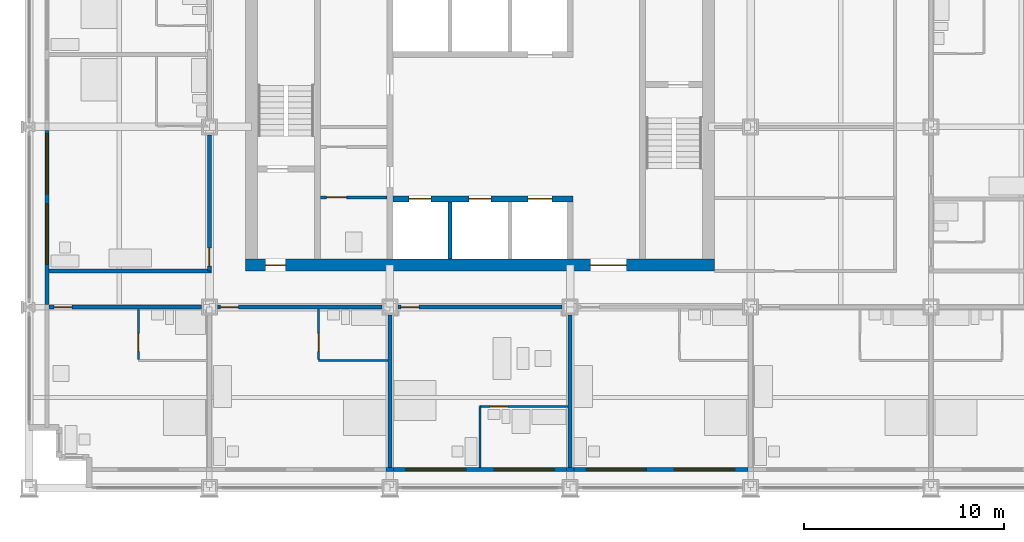
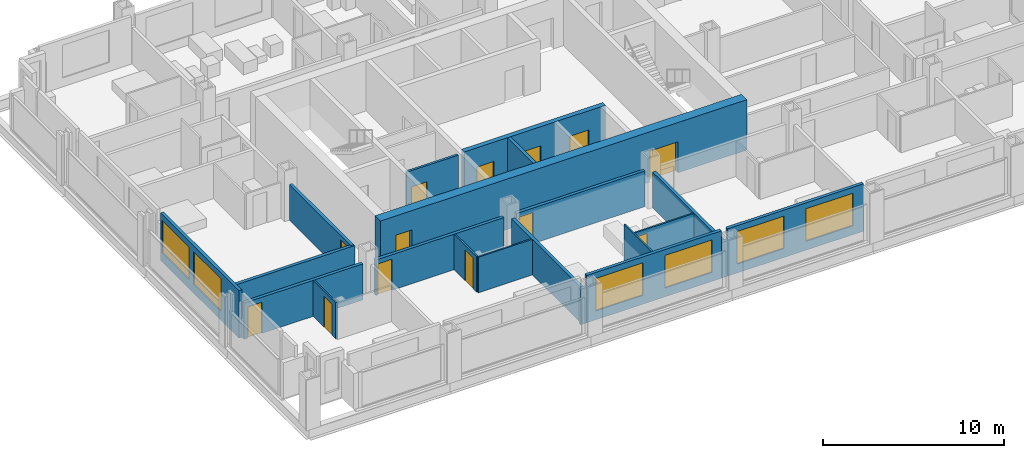
# One storey, part 10 of 18: 21 walls, 13 doors, 6 windows, 19 openings.
"""IFC4 building model written with IfcOpenShell, lengths in metres."""

from ifc_helpers import new_model, si_unit, direction, frame, frame_2d, origin, place, context, subcontext, project, spatial, rectangle, extrude, material, layer, layer_set, type_object, element, fill, save


model = new_model("IFC4")

# Units and contexts
model_context = context("Model", 3, precision=1e-05, world=origin(), true_north=direction((0.0, 1.0)))
body_context = subcontext(model_context, "Body", "Model", "MODEL_VIEW")
ifc_project = project(units=[si_unit("LENGTHUNIT", "METRE"), si_unit("AREAUNIT", "SQUARE_METRE"), si_unit("VOLUMEUNIT", "CUBIC_METRE"), si_unit("PLANEANGLEUNIT", "RADIAN"), si_unit("MASSUNIT", "GRAM", prefix="KILO")], contexts=[model_context])

# Site, building, storey
site_placement = place(None, origin())
site = spatial("IfcSite", under=ifc_project, at=site_placement, CompositionType="ELEMENT")
building_placement = place(site_placement, origin())
building = spatial("IfcBuilding", under=site, at=building_placement, Name="Loomwork Tower", CompositionType="ELEMENT")
storey_placement = place(building_placement, frame((0.0, 0.0, 45.0)))
storey = spatial("IfcBuildingStorey", under=building, at=storey_placement, Name="L10", CompositionType="ELEMENT", Elevation=45.0)

# Wall, openings, doors
ifc_material_1 = material(Name="Concrete 14000 psi (97 MPa)", Category="concrete")
ifc_layer_1 = layer(ifc_material_1, 0.300048828125)
ifc_layer_set_1 = layer_set([ifc_layer_1], Name="Core shear wall 300")
wall_type_1 = type_object("IfcWallType", Name="Core shear wall 300", PredefinedType="SHEAR", material=ifc_layer_set_1)
wall_1_placement = place(storey_placement, frame((18.14990234375, 14.39990234375, 0.0), z_axis=(0.0, 0.0, 1.0), x_axis=(1.0, 0.0, 0.0)))
wall_1 = element("IfcWall", 1, at=wall_1_placement, inside=storey, type_object=wall_type_1, Name="Lift front wall south L10", PredefinedType="SHEAR", context=body_context, shape_type="SweptSolid", body=[
    extrude(rectangle(XDim=9.0, YDim=0.300048828125, at=frame_2d((4.5, 0.0))), origin(), (0.0, 0.0, 1.0), 3.39990234375),
])
opening_1_placement = place(wall_1_placement, frame((0.800048828125, 0.0, 0.0)))
opening_1 = element("IfcOpeningElement", 2, at=opening_1_placement, cuts=wall_1, Name="Opening LD1", PredefinedType="OPENING", context=body_context, shape_type="SweptSolid", body=[
    extrude(rectangle(XDim=1.10009765625, YDim=2.10009765625, at=frame_2d((0.550048828125, 1.050048828125))), frame((0.0, 0.159912109375, 0.0), z_axis=(0.0, -1.0, 0.0), x_axis=(1.0, 0.0, 0.0)), (0.0, 0.0, 1.0), 0.320068359375),
])
opening_2_placement = place(wall_1_placement, frame((3.800048828125, 0.0, 0.0)))
opening_2 = element("IfcOpeningElement", 3, at=opening_2_placement, cuts=wall_1, Name="Opening LD1", PredefinedType="OPENING", context=body_context, shape_type="SweptSolid", body=[
    extrude(rectangle(XDim=1.10009765625, YDim=2.10009765625, at=frame_2d((0.550048828125, 1.050048828125))), frame((0.0, 0.159912109375, 0.0), z_axis=(0.0, -1.0, 0.0), x_axis=(1.0, 0.0, 0.0)), (0.0, 0.0, 1.0), 0.320068359375),
])
opening_3_placement = place(wall_1_placement, frame((6.75, 0.0, 0.0)))
opening_3 = element("IfcOpeningElement", 4, at=opening_3_placement, cuts=wall_1, Name="Opening LD2", PredefinedType="OPENING", context=body_context, shape_type="SweptSolid", body=[
    extrude(rectangle(XDim=1.199951171875, YDim=2.10009765625, at=frame_2d((0.60009765625, 1.050048828125))), frame((0.0, 0.159912109375, 0.0), z_axis=(0.0, -1.0, 0.0), x_axis=(1.0, 0.0, 0.0)), (0.0, 0.0, 1.0), 0.320068359375),
])
ifc_material_2 = material(Name="Hollow metal door and frame")
door_type_1 = type_object("IfcDoorType", Name="Lift landing door 1100", OperationType="SLIDING_TO_LEFT", PredefinedType="DOOR", material=ifc_material_2)
door_1_placement = place(opening_1_placement, origin())
door_1 = element("IfcDoor", 5, at=door_1_placement, inside=storey, type_object=door_type_1, Name="Lift landing door LA1", OperationType="SLIDING_TO_LEFT", OverallHeight=2.10009765625, OverallWidth=1.10009765625, PredefinedType="DOOR", context=body_context, shape_type="SweptSolid", body=[
    extrude(rectangle(XDim=1.10009765625, YDim=2.10009765625, at=frame_2d((0.550048828125, 1.050048828125))), frame((0.0, 0.02490234375, 0.0), z_axis=(0.0, -1.0, 0.0), x_axis=(1.0, 0.0, 0.0)), (0.0, 0.0, 1.0), 0.050048828125),
])
fill(opening_1, door_1)
door_2_placement = place(opening_2_placement, origin())
door_2 = element("IfcDoor", 6, at=door_2_placement, inside=storey, type_object=door_type_1, Name="Lift landing door LA2", OperationType="SLIDING_TO_LEFT", OverallHeight=2.10009765625, OverallWidth=1.10009765625, PredefinedType="DOOR", context=body_context, shape_type="SweptSolid", body=[
    extrude(rectangle(XDim=1.10009765625, YDim=2.10009765625, at=frame_2d((0.550048828125, 1.050048828125))), frame((0.0, 0.02490234375, 0.0), z_axis=(0.0, -1.0, 0.0), x_axis=(1.0, 0.0, 0.0)), (0.0, 0.0, 1.0), 0.050048828125),
])
fill(opening_2, door_2)
ifc_material_3 = material(Name="Hollow metal door and frame")
door_type_2 = type_object("IfcDoorType", Name="Lift landing door 1200", OperationType="SLIDING_TO_LEFT", PredefinedType="DOOR", material=ifc_material_3)
door_3_placement = place(opening_3_placement, origin())
door_3 = element("IfcDoor", 7, at=door_3_placement, inside=storey, type_object=door_type_2, Name="Lift landing door LF1", OperationType="SLIDING_TO_LEFT", OverallHeight=2.10009765625, OverallWidth=1.199951171875, PredefinedType="DOOR", context=body_context, shape_type="SweptSolid", body=[
    extrude(rectangle(XDim=1.199951171875, YDim=2.10009765625, at=frame_2d((0.60009765625, 1.050048828125))), frame((0.0, 0.02490234375, 0.0), z_axis=(0.0, -1.0, 0.0), x_axis=(1.0, 0.0, 0.0)), (0.0, 0.0, 1.0), 0.050048828125),
])
fill(opening_3, door_3)

ifc_material_4 = material(Name="Concrete 14000 psi (97 MPa)", Category="concrete")
ifc_layer_2 = layer(ifc_material_4, 0.60009765625)
ifc_layer_set_2 = layer_set([ifc_layer_2], Name="Core shear wall 600")
wall_type_2 = type_object("IfcWallType", Name="Core shear wall 600", PredefinedType="SHEAR", material=ifc_layer_set_2)
wall_2_placement = place(storey_placement, frame((10.800048828125, 11.10009765625, 0.0), z_axis=(0.0, 0.0, 1.0), x_axis=(1.0, 0.0, 0.0)))
wall_2 = element("IfcWall", 8, at=wall_2_placement, inside=storey, type_object=wall_type_2, Name="Core wall south L10", PredefinedType="SHEAR", context=body_context, shape_type="SweptSolid", body=[
    extrude(rectangle(XDim=23.39990234375, YDim=0.60009765625, at=frame_2d((11.699951171875, 0.0))), origin(), (0.0, 0.0, 1.0), 3.39990234375),
])
opening_4_placement = place(wall_2_placement, frame((1.0, 0.0, 0.0)))
opening_4 = element("IfcOpeningElement", 9, at=opening_4_placement, cuts=wall_2, Name="Opening D4", PredefinedType="OPENING", context=body_context, shape_type="SweptSolid", body=[
    extrude(rectangle(XDim=1.0, YDim=2.10009765625, at=frame_2d((0.5, 1.050048828125))), frame((0.0, 0.31005859375, 0.0), z_axis=(0.0, -1.0, 0.0), x_axis=(1.0, 0.0, 0.0)), (0.0, 0.0, 1.0), 0.6201171875),
])
opening_5_placement = place(wall_2_placement, frame((17.199951171875, 0.0, 0.0)))
opening_5 = element("IfcOpeningElement", 10, at=opening_5_placement, cuts=wall_2, Name="Opening D6", PredefinedType="OPENING", context=body_context, shape_type="SweptSolid", body=[
    extrude(rectangle(XDim=1.800048828125, YDim=2.10009765625, at=frame_2d((0.89990234375, 1.050048828125))), frame((0.0, 0.31005859375, 0.0), z_axis=(0.0, -1.0, 0.0), x_axis=(1.0, 0.0, 0.0)), (0.0, 0.0, 1.0), 0.6201171875),
])
ifc_material_5 = material(Name="Hollow metal door and frame")
door_type_3 = type_object("IfcDoorType", Name="Lobby passage double door 1800", OperationType="DOUBLE_DOOR_SINGLE_SWING", PredefinedType="DOOR", material=ifc_material_5)
door_4_placement = place(opening_5_placement, origin())
door_4 = element("IfcDoor", 11, at=door_4_placement, inside=storey, type_object=door_type_3, Name="Lobby passage door south", OperationType="DOUBLE_DOOR_SINGLE_SWING", OverallHeight=2.10009765625, OverallWidth=1.800048828125, PredefinedType="DOOR", context=body_context, shape_type="SweptSolid", body=[
    extrude(rectangle(XDim=1.800048828125, YDim=2.10009765625, at=frame_2d((0.89990234375, 1.050048828125))), frame((0.0, 0.02490234375, 0.0), z_axis=(0.0, -1.0, 0.0), x_axis=(1.0, 0.0, 0.0)), (0.0, 0.0, 1.0), 0.050048828125),
])
fill(opening_5, door_4)
ifc_material_6 = material(Name="Hollow metal door and frame")
door_type_4 = type_object("IfcDoorType", Name="Stair door 1000", OperationType="SINGLE_SWING_RIGHT", PredefinedType="DOOR", material=ifc_material_6)
door_5_placement = place(opening_4_placement, origin())
door_5 = element("IfcDoor", 12, at=door_5_placement, inside=storey, type_object=door_type_4, Name="Stair A vestibule door", OperationType="SINGLE_SWING_LEFT", OverallHeight=2.10009765625, OverallWidth=1.0, PredefinedType="DOOR", context=body_context, shape_type="SweptSolid", body=[
    extrude(rectangle(XDim=1.0, YDim=2.10009765625, at=frame_2d((0.5, 1.050048828125))), frame((0.0, 0.02490234375, 0.0), z_axis=(0.0, -1.0, 0.0), x_axis=(1.0, 0.0, 0.0)), (0.0, 0.0, 1.0), 0.050048828125),
])
fill(opening_4, door_5)

# Wall, opening, door
ifc_material_7 = material(Name="Gypsum board on steel studs, one-hour", Category="steel")
ifc_layer_3 = layer(ifc_material_7, 0.199951171875)
ifc_layer_set_3 = layer_set([ifc_layer_3], Name="Corridor wall 200")
wall_type_3 = type_object("IfcWallType", Name="Corridor wall 200", PredefinedType="PARTITIONING", material=ifc_layer_set_3)
wall_3_placement = place(storey_placement, frame((1.0, 9.0, 0.0), z_axis=(0.0, 0.0, 1.0), x_axis=(1.0, 0.0, 0.0)))
wall_3 = element("IfcWall", 13, at=wall_3_placement, inside=storey, type_object=wall_type_3, Name="South corridor wall 1", PredefinedType="PARTITIONING", context=body_context, shape_type="SweptSolid", body=[
    extrude(rectangle(XDim=7.60009765625, YDim=0.199951171875, at=frame_2d((3.800048828125, 0.0))), origin(), (0.0, 0.0, 1.0), 2.43798828125),
])
opening_6_placement = place(wall_3_placement, frame((0.25, 0.0, 0.0)))
opening_6 = element("IfcOpeningElement", 14, at=opening_6_placement, cuts=wall_3, Name="Opening D1", PredefinedType="OPENING", context=body_context, shape_type="SweptSolid", body=[
    extrude(rectangle(XDim=0.89990234375, YDim=2.10009765625, at=frame_2d((0.449951171875, 1.050048828125))), frame((0.0, 0.10986328125, 0.0), z_axis=(0.0, -1.0, 0.0), x_axis=(1.0, 0.0, 0.0)), (0.0, 0.0, 1.0), 0.219970703125),
])
ifc_material_8 = material(Name="Hollow metal door and frame")
door_type_5 = type_object("IfcDoorType", Name="Guest room entry door 900", OperationType="SINGLE_SWING_LEFT", PredefinedType="DOOR", material=ifc_material_8)
door_6_placement = place(opening_6_placement, frame((0.89990234375, 0.0, 0.0), z_axis=(0.0, 0.0, 1.0), x_axis=(-1.0, 0.0, 0.0)))
door_6 = element("IfcDoor", 15, at=door_6_placement, inside=storey, type_object=door_type_5, Name="Guest room entry door L10 1", OperationType="SINGLE_SWING_RIGHT", OverallHeight=2.10009765625, OverallWidth=0.89990234375, PredefinedType="DOOR", context=body_context, shape_type="SweptSolid", body=[
    extrude(rectangle(XDim=0.89990234375, YDim=2.10009765625, at=frame_2d((0.449951171875, 1.050048828125))), frame((0.0, 0.02490234375, 0.0), z_axis=(0.0, -1.0, 0.0), x_axis=(1.0, 0.0, 0.0)), (0.0, 0.0, 1.0), 0.050048828125),
])
fill(opening_6, door_6)

wall_4_placement = place(storey_placement, frame((9.39990234375, 9.0, 0.0), z_axis=(0.0, 0.0, 1.0), x_axis=(1.0, 0.0, 0.0)))
wall_4 = element("IfcWall", 16, at=wall_4_placement, inside=storey, type_object=wall_type_3, Name="South corridor wall 2", PredefinedType="PARTITIONING", context=body_context, shape_type="SweptSolid", body=[
    extrude(rectangle(XDim=8.2001953125, YDim=0.199951171875, at=frame_2d((4.10009765625, 0.0))), origin(), (0.0, 0.0, 1.0), 2.405029296875),
])
opening_7_placement = place(wall_4_placement, frame((0.14990234375, 0.0, 0.0)))
opening_7 = element("IfcOpeningElement", 17, at=opening_7_placement, cuts=wall_4, Name="Opening D1", PredefinedType="OPENING", context=body_context, shape_type="SweptSolid", body=[
    extrude(rectangle(XDim=0.89990234375, YDim=2.10009765625, at=frame_2d((0.449951171875, 1.050048828125))), frame((0.0, 0.10986328125, 0.0), z_axis=(0.0, -1.0, 0.0), x_axis=(1.0, 0.0, 0.0)), (0.0, 0.0, 1.0), 0.219970703125),
])
door_7_placement = place(opening_7_placement, frame((0.89990234375, 0.0, 0.0), z_axis=(0.0, 0.0, 1.0), x_axis=(-1.0, 0.0, 0.0)))
door_7 = element("IfcDoor", 18, at=door_7_placement, inside=storey, type_object=door_type_5, Name="Guest room entry door L10 2", OperationType="SINGLE_SWING_RIGHT", OverallHeight=2.10009765625, OverallWidth=0.89990234375, PredefinedType="DOOR", context=body_context, shape_type="SweptSolid", body=[
    extrude(rectangle(XDim=0.89990234375, YDim=2.10009765625, at=frame_2d((0.449951171875, 1.050048828125))), frame((0.0, 0.02490234375, 0.0), z_axis=(0.0, -1.0, 0.0), x_axis=(1.0, 0.0, 0.0)), (0.0, 0.0, 1.0), 0.050048828125),
])
fill(opening_7, door_7)

wall_5_placement = place(storey_placement, frame((18.39990234375, 9.0, 0.0), z_axis=(0.0, 0.0, 1.0), x_axis=(1.0, 0.0, 0.0)))
wall_5 = element("IfcWall", 19, at=wall_5_placement, inside=storey, type_object=wall_type_3, Name="South corridor wall 3", PredefinedType="PARTITIONING", context=body_context, shape_type="SweptSolid", body=[
    extrude(rectangle(XDim=8.2001953125, YDim=0.199951171875, at=frame_2d((4.10009765625, 0.0))), origin(), (0.0, 0.0, 1.0), 2.405029296875),
])
opening_8_placement = place(wall_5_placement, frame((0.14990234375, 0.0, 0.0)))
opening_8 = element("IfcOpeningElement", 20, at=opening_8_placement, cuts=wall_5, Name="Opening D1", PredefinedType="OPENING", context=body_context, shape_type="SweptSolid", body=[
    extrude(rectangle(XDim=0.89990234375, YDim=2.10009765625, at=frame_2d((0.449951171875, 1.050048828125))), frame((0.0, 0.10986328125, 0.0), z_axis=(0.0, -1.0, 0.0), x_axis=(1.0, 0.0, 0.0)), (0.0, 0.0, 1.0), 0.219970703125),
])
door_8_placement = place(opening_8_placement, frame((0.89990234375, 0.0, 0.0), z_axis=(0.0, 0.0, 1.0), x_axis=(-1.0, 0.0, 0.0)))
door_8 = element("IfcDoor", 21, at=door_8_placement, inside=storey, type_object=door_type_5, Name="Guest room entry door L10 3", OperationType="SINGLE_SWING_RIGHT", OverallHeight=2.10009765625, OverallWidth=0.89990234375, PredefinedType="DOOR", context=body_context, shape_type="SweptSolid", body=[
    extrude(rectangle(XDim=0.89990234375, YDim=2.10009765625, at=frame_2d((0.449951171875, 1.050048828125))), frame((0.0, 0.02490234375, 0.0), z_axis=(0.0, -1.0, 0.0), x_axis=(1.0, 0.0, 0.0)), (0.0, 0.0, 1.0), 0.050048828125),
])
fill(opening_8, door_8)

wall_6_placement = place(storey_placement, frame((9.0, 10.800048828125, 0.0), z_axis=(0.0, 0.0, 1.0), x_axis=(0.0, 1.0, 0.0)))
wall_6 = element("IfcWall", 22, at=wall_6_placement, inside=storey, type_object=wall_type_3, Name="West corridor wall 1", PredefinedType="PARTITIONING", context=body_context, shape_type="SweptSolid", body=[
    extrude(rectangle(XDim=6.800048828125, YDim=0.199951171875, at=frame_2d((3.39990234375, 0.0))), origin(), (0.0, 0.0, 1.0), 2.405029296875),
])
opening_9_placement = place(wall_6_placement, frame((0.25, 0.0, 0.0)))
opening_9 = element("IfcOpeningElement", 23, at=opening_9_placement, cuts=wall_6, Name="Opening D1", PredefinedType="OPENING", context=body_context, shape_type="SweptSolid", body=[
    extrude(rectangle(XDim=0.89990234375, YDim=2.10009765625, at=frame_2d((0.449951171875, 1.050048828125))), frame((0.0, 0.10986328125, 0.0), z_axis=(0.0, -1.0, 0.0), x_axis=(1.0, 0.0, 0.0)), (0.0, 0.0, 1.0), 0.219970703125),
])
door_9_placement = place(opening_9_placement, origin())
door_9 = element("IfcDoor", 24, at=door_9_placement, inside=storey, type_object=door_type_5, Name="Guest room entry door L10 14", OperationType="SINGLE_SWING_LEFT", OverallHeight=2.10009765625, OverallWidth=0.89990234375, PredefinedType="DOOR", context=body_context, shape_type="SweptSolid", body=[
    extrude(rectangle(XDim=0.89990234375, YDim=2.10009765625, at=frame_2d((0.449951171875, 1.050048828125))), frame((0.0, 0.02490234375, 0.0), z_axis=(0.0, -1.0, 0.0), x_axis=(1.0, 0.0, 0.0)), (0.0, 0.0, 1.0), 0.050048828125),
])
fill(opening_9, door_9)

# Wall
wall_7_placement = place(storey_placement, frame((1.0, 10.800048828125, 0.0), z_axis=(0.0, 0.0, 1.0), x_axis=(1.0, 0.0, 0.0)))
element("IfcWall", 25, at=wall_7_placement, inside=storey, type_object=wall_type_3, Name="West band end wall S", PredefinedType="PARTITIONING", context=body_context, shape_type="SweptSolid", body=[
    extrude(rectangle(XDim=8.10009765625, YDim=0.199951171875, at=frame_2d((4.050048828125, 0.0))), origin(), (0.0, 0.0, 1.0), 2.404052734375),
])

# Wall, opening, door
ifc_material_9 = material(Name="Cement board on steel studs", Category="steel")
ifc_layer_4 = layer(ifc_material_9, 0.10009765625)
ifc_layer_set_4 = layer_set([ifc_layer_4], Name="En-suite partition 100")
wall_type_4 = type_object("IfcWallType", Name="En-suite partition 100", PredefinedType="PARTITIONING", material=ifc_layer_set_4)
wall_8_placement = place(storey_placement, frame((5.449951171875, 8.89990234375, 0.0), z_axis=(0.0, 0.0, 1.0), x_axis=(0.0, -1.0, 0.0)))
wall_8 = element("IfcWall", 26, at=wall_8_placement, inside=storey, type_object=wall_type_4, Name="En-suite side wall L10 room 1", PredefinedType="PARTITIONING", context=body_context, shape_type="SweptSolid", body=[
    extrude(rectangle(XDim=2.5, YDim=0.10009765625, at=frame_2d((1.25, 0.0))), origin(), (0.0, 0.0, 1.0), 2.43798828125),
])
opening_10_placement = place(wall_8_placement, frame((1.199951171875, 0.0, 0.0)))
opening_10 = element("IfcOpeningElement", 27, at=opening_10_placement, cuts=wall_8, Name="Opening D3", PredefinedType="OPENING", context=body_context, shape_type="SweptSolid", body=[
    extrude(rectangle(XDim=0.89990234375, YDim=2.10009765625, at=frame_2d((0.449951171875, 1.050048828125))), frame((0.0, 0.06005859375, 0.0), z_axis=(0.0, -1.0, 0.0), x_axis=(1.0, 0.0, 0.0)), (0.0, 0.0, 1.0), 0.1201171875),
])
ifc_material_10 = material(Name="Hollow metal door and frame")
door_type_6 = type_object("IfcDoorType", Name="Accessible en-suite door 900", OperationType="SLIDING_TO_LEFT", PredefinedType="DOOR", material=ifc_material_10)
door_10_placement = place(opening_10_placement, origin())
door_10 = element("IfcDoor", 28, at=door_10_placement, inside=storey, type_object=door_type_6, Name="Accessible en-suite door room 1", OperationType="SLIDING_TO_LEFT", OverallHeight=2.10009765625, OverallWidth=0.89990234375, PredefinedType="DOOR", context=body_context, shape_type="SweptSolid", body=[
    extrude(rectangle(XDim=0.89990234375, YDim=2.10009765625, at=frame_2d((0.449951171875, 1.050048828125))), frame((0.0, 0.02490234375, 0.0), z_axis=(0.0, -1.0, 0.0), x_axis=(1.0, 0.0, 0.0)), (0.0, 0.0, 1.0), 0.050048828125),
])
fill(opening_10, door_10)

# Wall
wall_9_placement = place(storey_placement, frame((14.449951171875, 6.35009765625, 0.0), z_axis=(0.0, 0.0, 1.0), x_axis=(1.0, 0.0, 0.0)))
element("IfcWall", 29, at=wall_9_placement, inside=storey, type_object=wall_type_4, Name="En-suite wall L10 room 2", PredefinedType="PARTITIONING", context=body_context, shape_type="SweptSolid", body=[
    extrude(rectangle(XDim=3.449951171875, YDim=0.10009765625, at=frame_2d((1.72509765625, 0.0))), origin(), (0.0, 0.0, 1.0), 2.404052734375),
])

# Wall, opening, door
wall_10_placement = place(storey_placement, frame((14.449951171875, 8.89990234375, 0.0), z_axis=(0.0, 0.0, 1.0), x_axis=(0.0, -1.0, 0.0)))
wall_10 = element("IfcWall", 30, at=wall_10_placement, inside=storey, type_object=wall_type_4, Name="En-suite side wall L10 room 2", PredefinedType="PARTITIONING", context=body_context, shape_type="SweptSolid", body=[
    extrude(rectangle(XDim=2.5, YDim=0.10009765625, at=frame_2d((1.25, 0.0))), origin(), (0.0, 0.0, 1.0), 2.404052734375),
])
opening_11_placement = place(wall_10_placement, frame((1.199951171875, 0.0, 0.0)))
opening_11 = element("IfcOpeningElement", 31, at=opening_11_placement, cuts=wall_10, Name="Opening D2", PredefinedType="OPENING", context=body_context, shape_type="SweptSolid", body=[
    extrude(rectangle(XDim=0.89990234375, YDim=2.10009765625, at=frame_2d((0.449951171875, 1.050048828125))), frame((0.0, 0.06005859375, 0.0), z_axis=(0.0, -1.0, 0.0), x_axis=(1.0, 0.0, 0.0)), (0.0, 0.0, 1.0), 0.1201171875),
])
ifc_material_11 = material(Name="Hollow metal door and frame")
door_type_7 = type_object("IfcDoorType", Name="En-suite door 900", OperationType="SINGLE_SWING_LEFT", PredefinedType="DOOR", material=ifc_material_11)
door_11_placement = place(opening_11_placement, origin())
door_11 = element("IfcDoor", 32, at=door_11_placement, inside=storey, type_object=door_type_7, Name="En-suite door room 2", OperationType="SINGLE_SWING_RIGHT", OverallHeight=2.10009765625, OverallWidth=0.89990234375, PredefinedType="DOOR", context=body_context, shape_type="SweptSolid", body=[
    extrude(rectangle(XDim=0.89990234375, YDim=2.10009765625, at=frame_2d((0.449951171875, 1.050048828125))), frame((0.0, 0.02490234375, 0.0), z_axis=(0.0, -1.0, 0.0), x_axis=(1.0, 0.0, 0.0)), (0.0, 0.0, 1.0), 0.050048828125),
])
fill(opening_11, door_11)

wall_11_placement = place(storey_placement, frame((22.5, 4.050048828125, 0.0), z_axis=(0.0, 0.0, 1.0), x_axis=(1.0, 0.0, 0.0)))
wall_11 = element("IfcWall", 33, at=wall_11_placement, inside=storey, type_object=wall_type_4, Name="Spa bathroom wall L10 room 3", PredefinedType="PARTITIONING", context=body_context, shape_type="SweptSolid", body=[
    extrude(rectangle(XDim=4.39990234375, YDim=0.10009765625, at=frame_2d((2.199951171875, 0.0))), origin(), (0.0, 0.0, 1.0), 2.404052734375),
])
opening_12_placement = place(wall_11_placement, frame((0.5, 0.0, 0.0)))
opening_12 = element("IfcOpeningElement", 34, at=opening_12_placement, cuts=wall_11, Name="Opening D2", PredefinedType="OPENING", context=body_context, shape_type="SweptSolid", body=[
    extrude(rectangle(XDim=0.89990234375, YDim=2.10009765625, at=frame_2d((0.449951171875, 1.050048828125))), frame((0.0, 0.06005859375, 0.0), z_axis=(0.0, -1.0, 0.0), x_axis=(1.0, 0.0, 0.0)), (0.0, 0.0, 1.0), 0.1201171875),
])
door_12_placement = place(opening_12_placement, frame((0.89990234375, 0.0, 0.0), z_axis=(0.0, 0.0, 1.0), x_axis=(-1.0, 0.0, 0.0)))
door_12 = element("IfcDoor", 35, at=door_12_placement, inside=storey, type_object=door_type_7, Name="Spa bathroom door room 3", OperationType="SINGLE_SWING_RIGHT", OverallHeight=2.10009765625, OverallWidth=0.89990234375, PredefinedType="DOOR", context=body_context, shape_type="SweptSolid", body=[
    extrude(rectangle(XDim=0.89990234375, YDim=2.10009765625, at=frame_2d((0.449951171875, 1.050048828125))), frame((0.0, 0.02490234375, 0.0), z_axis=(0.0, -1.0, 0.0), x_axis=(1.0, 0.0, 0.0)), (0.0, 0.0, 1.0), 0.050048828125),
])
fill(opening_12, door_12)

# Walls
wall_12_placement = place(storey_placement, frame((22.5, 4.050048828125, 0.0), z_axis=(0.0, 0.0, 1.0), x_axis=(0.0, -1.0, 0.0)))
element("IfcWall", 36, at=wall_12_placement, inside=storey, type_object=wall_type_4, Name="Spa bathroom side wall L10 room 3", PredefinedType="PARTITIONING", context=body_context, shape_type="SweptSolid", body=[
    extrude(rectangle(XDim=3.050048828125, YDim=0.10009765625, at=frame_2d((1.52490234375, 0.0))), origin(), (0.0, 0.0, 1.0), 3.199951171875),
])
ifc_material_12 = material(Name="Gypsum board on steel studs, acoustic", Category="steel")
ifc_layer_5 = layer(ifc_material_12, 0.199951171875)
ifc_layer_set_5 = layer_set([ifc_layer_5], Name="Guest room party wall 200")
wall_type_5 = type_object("IfcWallType", Name="Guest room party wall 200", PredefinedType="PARTITIONING", material=ifc_layer_set_5)
for number, where, z_axis, x_axis, name in (
    (37, (18.0, 8.60009765625, 0.0), (0.0, 0.0, 1.0), (0.0, -1.0, 0.0), "Guest room party wall S 18"),
    (38, (27.0, 8.60009765625, 0.0), (0.0, 0.0, 1.0), (0.0, -1.0, 0.0), "Guest room party wall S 27"),
):
    element("IfcWall", number, at=place(storey_placement, frame(where, z_axis=z_axis, x_axis=x_axis)), inside=storey, type_object=wall_type_5, Name=name, PredefinedType="PARTITIONING", context=body_context, shape_type="SweptSolid", body=[
        extrude(rectangle(XDim=7.60009765625, YDim=0.199951171875, at=frame_2d((3.800048828125, 0.0))), origin(), (0.0, 0.0, 1.0), 2.405029296875),
    ])
ifc_material_13 = material(Name="Insulated steel stud wall with gypsum lining", Category="steel")
ifc_layer_6 = layer(ifc_material_13, 0.199951171875)
ifc_layer_set_6 = layer_set([ifc_layer_6], Name="Inner skin wall 200")
wall_type_6 = type_object("IfcWallType", Name="Inner skin wall 200", PredefinedType="SOLIDWALL", material=ifc_layer_set_6)
wall_13_placement = place(storey_placement, frame((17.80615234375, 0.89990234375, 0.0), z_axis=(0.0, 0.0, 1.0), x_axis=(1.0, 0.0, 0.0)))
element("IfcWall", 39, at=wall_13_placement, inside=storey, type_object=wall_type_6, Name="Inner skin wall S bay 4", PredefinedType="SOLIDWALL", context=body_context, shape_type="SweptSolid", body=[
    extrude(rectangle(XDim=0.3876953125, YDim=0.199951171875, at=frame_2d((0.19384765625, 0.0))), origin(), (0.0, 0.0, 1.0), 2.404052734375),
])

# Wall, openings, windows
wall_14_placement = place(storey_placement, frame((18.19384765625, 0.89990234375, 0.0), z_axis=(0.0, 0.0, 1.0), x_axis=(1.0, 0.0, 0.0)))
wall_14 = element("IfcWall", 40, at=wall_14_placement, inside=storey, type_object=wall_type_6, Name="Inner skin wall S bay 5", PredefinedType="SOLIDWALL", context=body_context, shape_type="SweptSolid", body=[
    extrude(rectangle(XDim=8.6123046875, YDim=0.199951171875, at=frame_2d((4.30615234375, 0.0))), origin(), (0.0, 0.0, 1.0), 3.199951171875),
])
opening_13_placement = place(wall_14_placement, frame((0.606201171875, 0.0, 0.60009765625)))
opening_13 = element("IfcOpeningElement", 41, at=opening_13_placement, cuts=wall_14, Name="Opening CH1", PredefinedType="OPENING", context=body_context, shape_type="SweptSolid", body=[
    extrude(rectangle(XDim=3.0, YDim=2.199951171875, at=frame_2d((1.5, 1.10009765625))), frame((0.0, 0.10986328125, 0.0), z_axis=(0.0, -1.0, 0.0), x_axis=(1.0, 0.0, 0.0)), (0.0, 0.0, 1.0), 0.219970703125),
])
opening_14_placement = place(wall_14_placement, frame((5.006103515625, 0.0, 0.60009765625)))
opening_14 = element("IfcOpeningElement", 42, at=opening_14_placement, cuts=wall_14, Name="Opening CH1", PredefinedType="OPENING", context=body_context, shape_type="SweptSolid", body=[
    extrude(rectangle(XDim=3.0, YDim=2.199951171875, at=frame_2d((1.5, 1.10009765625))), frame((0.0, 0.10986328125, 0.0), z_axis=(0.0, -1.0, 0.0), x_axis=(1.0, 0.0, 0.0)), (0.0, 0.0, 1.0), 0.219970703125),
])
ifc_material_14 = material(Name="Aluminium frame with clear insulated glass", Category="aluminium")
window_type = type_object("IfcWindowType", Name="Chicago window 3000", PartitioningType="TRIPLE_PANEL_VERTICAL", PredefinedType="WINDOW", material=ifc_material_14)
window_1_placement = place(opening_13_placement, origin())
window_1 = element("IfcWindow", 43, at=window_1_placement, inside=storey, type_object=window_type, Name="Chicago window L10 bay 3", OverallHeight=2.199951171875, OverallWidth=3.0, PartitioningType="TRIPLE_PANEL_VERTICAL", PredefinedType="WINDOW", context=body_context, shape_type="SweptSolid", body=[
    extrude(rectangle(XDim=3.0, YDim=2.199951171875, at=frame_2d((1.5, 1.10009765625))), frame((0.0, 0.030029296875, 0.0), z_axis=(0.0, -1.0, 0.0), x_axis=(1.0, 0.0, 0.0)), (0.0, 0.0, 1.0), 0.06005859375),
])
fill(opening_13, window_1)
window_2_placement = place(opening_14_placement, origin())
window_2 = element("IfcWindow", 44, at=window_2_placement, inside=storey, type_object=window_type, Name="Chicago window L10 bay 3", OverallHeight=2.199951171875, OverallWidth=3.0, PartitioningType="TRIPLE_PANEL_VERTICAL", PredefinedType="WINDOW", context=body_context, shape_type="SweptSolid", body=[
    extrude(rectangle(XDim=3.0, YDim=2.199951171875, at=frame_2d((1.5, 1.10009765625))), frame((0.0, 0.030029296875, 0.0), z_axis=(0.0, -1.0, 0.0), x_axis=(1.0, 0.0, 0.0)), (0.0, 0.0, 1.0), 0.06005859375),
])
fill(opening_14, window_2)

# Wall
wall_15_placement = place(storey_placement, frame((26.80615234375, 0.89990234375, 0.0), z_axis=(0.0, 0.0, 1.0), x_axis=(1.0, 0.0, 0.0)))
element("IfcWall", 45, at=wall_15_placement, inside=storey, type_object=wall_type_6, Name="Inner skin wall S bay 6", PredefinedType="SOLIDWALL", context=body_context, shape_type="SweptSolid", body=[
    extrude(rectangle(XDim=0.3876953125, YDim=0.199951171875, at=frame_2d((0.19384765625, 0.0))), origin(), (0.0, 0.0, 1.0), 2.404052734375),
])

# Wall, openings, windows
wall_16_placement = place(storey_placement, frame((27.19384765625, 0.89990234375, 0.0), z_axis=(0.0, 0.0, 1.0), x_axis=(1.0, 0.0, 0.0)))
wall_16 = element("IfcWall", 46, at=wall_16_placement, inside=storey, type_object=wall_type_6, Name="Inner skin wall S bay 7", PredefinedType="SOLIDWALL", context=body_context, shape_type="SweptSolid", body=[
    extrude(rectangle(XDim=8.670654296875, YDim=0.199951171875, at=frame_2d((4.33544921875, 0.0))), origin(), (0.0, 0.0, 1.0), 3.199951171875),
])
opening_15_placement = place(wall_16_placement, frame((0.606201171875, 0.0, 0.60009765625)))
opening_15 = element("IfcOpeningElement", 47, at=opening_15_placement, cuts=wall_16, Name="Opening CH1", PredefinedType="OPENING", context=body_context, shape_type="SweptSolid", body=[
    extrude(rectangle(XDim=3.0, YDim=2.199951171875, at=frame_2d((1.5, 1.10009765625))), frame((0.0, 0.10986328125, 0.0), z_axis=(0.0, -1.0, 0.0), x_axis=(1.0, 0.0, 0.0)), (0.0, 0.0, 1.0), 0.219970703125),
])
opening_16_placement = place(wall_16_placement, frame((5.006103515625, 0.0, 0.60009765625)))
opening_16 = element("IfcOpeningElement", 48, at=opening_16_placement, cuts=wall_16, Name="Opening CH1", PredefinedType="OPENING", context=body_context, shape_type="SweptSolid", body=[
    extrude(rectangle(XDim=3.0, YDim=2.199951171875, at=frame_2d((1.5, 1.10009765625))), frame((0.0, 0.10986328125, 0.0), z_axis=(0.0, -1.0, 0.0), x_axis=(1.0, 0.0, 0.0)), (0.0, 0.0, 1.0), 0.219970703125),
])
window_3_placement = place(opening_15_placement, origin())
window_3 = element("IfcWindow", 49, at=window_3_placement, inside=storey, type_object=window_type, Name="Chicago window L10 bay 4", OverallHeight=2.199951171875, OverallWidth=3.0, PartitioningType="TRIPLE_PANEL_VERTICAL", PredefinedType="WINDOW", context=body_context, shape_type="SweptSolid", body=[
    extrude(rectangle(XDim=3.0, YDim=2.199951171875, at=frame_2d((1.5, 1.10009765625))), frame((0.0, 0.030029296875, 0.0), z_axis=(0.0, -1.0, 0.0), x_axis=(1.0, 0.0, 0.0)), (0.0, 0.0, 1.0), 0.06005859375),
])
fill(opening_15, window_3)
window_4_placement = place(opening_16_placement, origin())
window_4 = element("IfcWindow", 50, at=window_4_placement, inside=storey, type_object=window_type, Name="Chicago window L10 bay 4", OverallHeight=2.199951171875, OverallWidth=3.0, PartitioningType="TRIPLE_PANEL_VERTICAL", PredefinedType="WINDOW", context=body_context, shape_type="SweptSolid", body=[
    extrude(rectangle(XDim=3.0, YDim=2.199951171875, at=frame_2d((1.5, 1.10009765625))), frame((0.0, 0.030029296875, 0.0), z_axis=(0.0, -1.0, 0.0), x_axis=(1.0, 0.0, 0.0)), (0.0, 0.0, 1.0), 0.06005859375),
])
fill(opening_16, window_4)

wall_17_placement = place(storey_placement, frame((0.89990234375, 9.13525390625, 0.0), z_axis=(0.0, 0.0, 1.0), x_axis=(0.0, 1.0, 0.0)))
wall_17 = element("IfcWall", 51, at=wall_17_placement, inside=storey, type_object=wall_type_6, Name="Inner skin wall W bay 5", PredefinedType="SOLIDWALL", context=body_context, shape_type="SweptSolid", body=[
    extrude(rectangle(XDim=8.6708984375, YDim=0.199951171875, at=frame_2d((4.33544921875, 0.0))), origin(), (0.0, 0.0, 1.0), 3.199951171875),
])
opening_17_placement = place(wall_17_placement, frame((2.0146484375, 0.0, 0.60009765625)))
opening_17 = element("IfcOpeningElement", 52, at=opening_17_placement, cuts=wall_17, Name="Opening CH1", PredefinedType="OPENING", context=body_context, shape_type="SweptSolid", body=[
    extrude(rectangle(XDim=3.0, YDim=2.199951171875, at=frame_2d((1.5, 1.10009765625))), frame((0.0, 0.10986328125, 0.0), z_axis=(0.0, -1.0, 0.0), x_axis=(1.0, 0.0, 0.0)), (0.0, 0.0, 1.0), 0.219970703125),
])
opening_18_placement = place(wall_17_placement, frame((5.5146484375, 0.0, 0.60009765625)))
opening_18 = element("IfcOpeningElement", 53, at=opening_18_placement, cuts=wall_17, Name="Opening CH1", PredefinedType="OPENING", context=body_context, shape_type="SweptSolid", body=[
    extrude(rectangle(XDim=3.0, YDim=2.199951171875, at=frame_2d((1.5, 1.10009765625))), frame((0.0, 0.10986328125, 0.0), z_axis=(0.0, -1.0, 0.0), x_axis=(1.0, 0.0, 0.0)), (0.0, 0.0, 1.0), 0.219970703125),
])
window_5_placement = place(opening_17_placement, origin())
window_5 = element("IfcWindow", 54, at=window_5_placement, inside=storey, type_object=window_type, Name="Chicago window L10 bay 13", OverallHeight=2.199951171875, OverallWidth=3.0, PartitioningType="TRIPLE_PANEL_VERTICAL", PredefinedType="WINDOW", context=body_context, shape_type="SweptSolid", body=[
    extrude(rectangle(XDim=3.0, YDim=2.199951171875, at=frame_2d((1.5, 1.10009765625))), frame((0.0, 0.030029296875, 0.0), z_axis=(0.0, -1.0, 0.0), x_axis=(1.0, 0.0, 0.0)), (0.0, 0.0, 1.0), 0.06005859375),
])
fill(opening_17, window_5)
window_6_placement = place(opening_18_placement, origin())
window_6 = element("IfcWindow", 55, at=window_6_placement, inside=storey, type_object=window_type, Name="Chicago window L10 bay 13", OverallHeight=2.199951171875, OverallWidth=3.0, PartitioningType="TRIPLE_PANEL_VERTICAL", PredefinedType="WINDOW", context=body_context, shape_type="SweptSolid", body=[
    extrude(rectangle(XDim=3.0, YDim=2.199951171875, at=frame_2d((1.5, 1.10009765625))), frame((0.0, 0.030029296875, 0.0), z_axis=(0.0, -1.0, 0.0), x_axis=(1.0, 0.0, 0.0)), (0.0, 0.0, 1.0), 0.06005859375),
])
fill(opening_18, window_6)

# Wall
ifc_material_15 = material(Name="Concrete 14000 psi (97 MPa)", Category="concrete")
ifc_layer_7 = layer(ifc_material_15, 0.199951171875)
ifc_layer_set_7 = layer_set([ifc_layer_7], Name="Lift shaft wall 200")
wall_type_7 = type_object("IfcWallType", Name="Lift shaft wall 200", PredefinedType="SHEAR", material=ifc_layer_set_7)
wall_18_placement = place(storey_placement, frame((21.0, 11.39990234375, 0.0), z_axis=(0.0, 0.0, 1.0), x_axis=(0.0, 1.0, 0.0)))
element("IfcWall", 56, at=wall_18_placement, inside=storey, type_object=wall_type_7, Name="Lift shaft separation wall south 1 L10", PredefinedType="SHEAR", context=body_context, shape_type="SweptSolid", body=[
    extrude(rectangle(XDim=2.85009765625, YDim=0.199951171875, at=frame_2d((1.425048828125, 0.0))), origin(), (0.0, 0.0, 1.0), 3.39990234375),
])

# Wall, opening, door
ifc_material_16 = material(Name="Gypsum board on steel studs, one-hour", Category="steel")
ifc_layer_8 = layer(ifc_material_16, 0.14990234375)
ifc_layer_set_8 = layer_set([ifc_layer_8], Name="Service partition 150")
wall_type_8 = type_object("IfcWallType", Name="Service partition 150", PredefinedType="PARTITIONING", material=ifc_layer_set_8)
wall_19_placement = place(storey_placement, frame((14.550048828125, 14.47509765625, 0.0), z_axis=(0.0, 0.0, 1.0), x_axis=(1.0, 0.0, 0.0)))
wall_19 = element("IfcWall", 57, at=wall_19_placement, inside=storey, type_object=wall_type_8, Name="Back-of-house partition L10", PredefinedType="PARTITIONING", context=body_context, shape_type="SweptSolid", body=[
    extrude(rectangle(XDim=3.300048828125, YDim=0.14990234375, at=frame_2d((1.64990234375, 0.0))), origin(), (0.0, 0.0, 1.0), 3.199951171875),
])
opening_19_placement = place(wall_19_placement, frame((0.300048828125, 0.0, 0.0)))
opening_19 = element("IfcOpeningElement", 58, at=opening_19_placement, cuts=wall_19, Name="Opening D5", PredefinedType="OPENING", context=body_context, shape_type="SweptSolid", body=[
    extrude(rectangle(XDim=1.0, YDim=2.10009765625, at=frame_2d((0.5, 1.050048828125))), frame((0.0, 0.0849609375, 0.0), z_axis=(0.0, -1.0, 0.0), x_axis=(1.0, 0.0, 0.0)), (0.0, 0.0, 1.0), 0.169921875),
])
ifc_material_17 = material(Name="Hollow metal door and frame")
door_type_8 = type_object("IfcDoorType", Name="Service door 1000", OperationType="SINGLE_SWING_LEFT", PredefinedType="DOOR", material=ifc_material_17)
door_13_placement = place(opening_19_placement, origin())
door_13 = element("IfcDoor", 59, at=door_13_placement, inside=storey, type_object=door_type_8, Name="Back-of-house room door", OperationType="SINGLE_SWING_LEFT", OverallHeight=2.10009765625, OverallWidth=1.0, PredefinedType="DOOR", context=body_context, shape_type="SweptSolid", body=[
    extrude(rectangle(XDim=1.0, YDim=2.10009765625, at=frame_2d((0.5, 1.050048828125))), frame((0.0, 0.02490234375, 0.0), z_axis=(0.0, -1.0, 0.0), x_axis=(1.0, 0.0, 0.0)), (0.0, 0.0, 1.0), 0.050048828125),
])
fill(opening_19, door_13)

save(model, "model.ifc")
